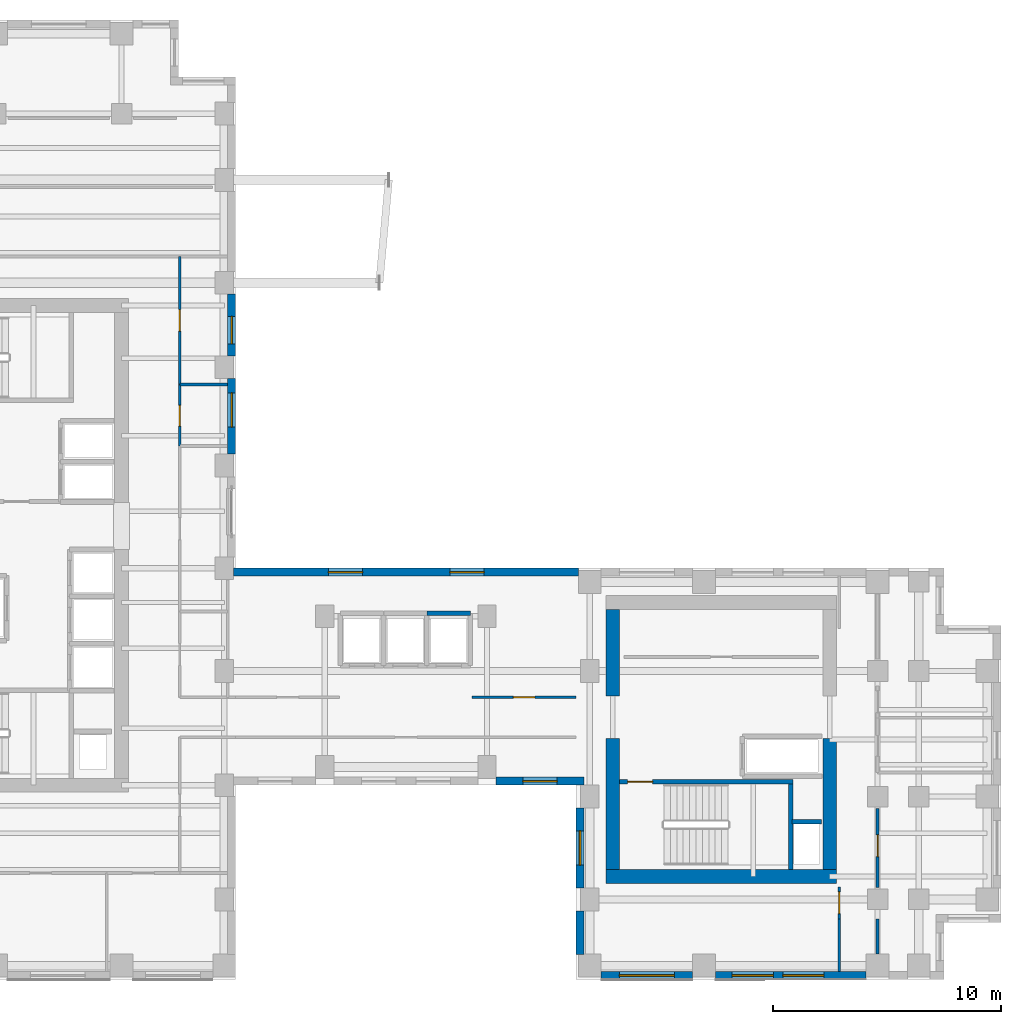
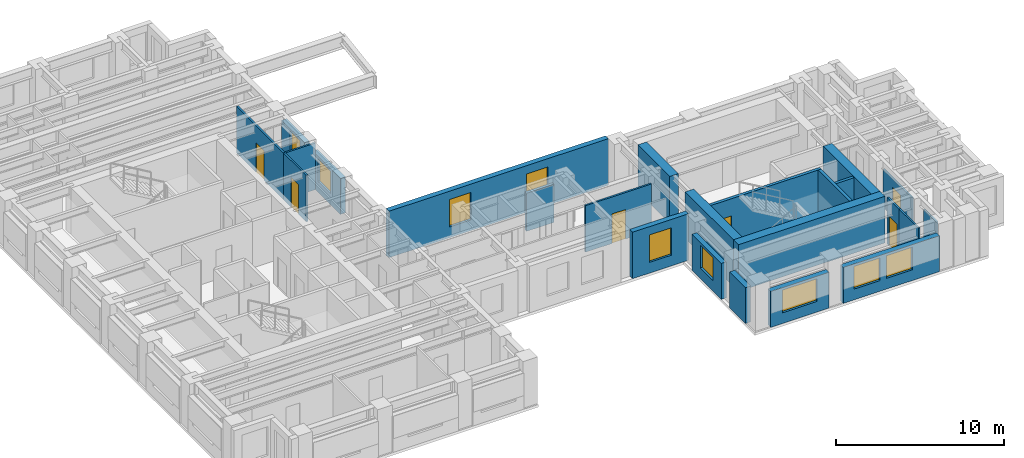
# One storey, part 9 of 14: 24 walls, 9 windows, 6 doors, 15 openings.
"""IFC4 building model written with IfcOpenShell, lengths in metres."""

from ifc_helpers import new_model, si_unit, direction, frame, frame_2d, origin, place, context, subcontext, project, spatial, rectangle, extrude, source, transform, mapped, material, layer, layer_set, type_object, element, fill, save


model = new_model("IFC4")

# Units and contexts
model_context = context("Model", 3, precision=1e-05, world=origin(), true_north=direction((0.0, 1.0)))
body_context = subcontext(model_context, "Body", "Model", "MODEL_VIEW")
ifc_project = project(units=[si_unit("LENGTHUNIT", "METRE"), si_unit("AREAUNIT", "SQUARE_METRE"), si_unit("VOLUMEUNIT", "CUBIC_METRE"), si_unit("PLANEANGLEUNIT", "RADIAN"), si_unit("MASSUNIT", "GRAM", prefix="KILO")], contexts=[model_context])

# Site, building, storey
site_placement = place(None, origin())
site = spatial("IfcSite", under=ifc_project, at=site_placement, CompositionType="ELEMENT")
building_placement = place(site_placement, origin())
building = spatial("IfcBuilding", under=site, at=building_placement, Name="Kharzan Plaza Tower", CompositionType="ELEMENT")
storey_placement = place(building_placement, frame((0.0, 0.0, 168.300048828125)))
storey = spatial("IfcBuildingStorey", under=building, at=storey_placement, Name="L45", CompositionType="ELEMENT", Elevation=168.300048828125)

# Wall, opening, window
ifc_material_1 = material(Name="Concrete C40/50", Category="concrete")
ifc_layer_1 = layer(ifc_material_1, 0.35009765625)
ifc_layer_set_1 = layer_set([ifc_layer_1], Name="Concrete C40/50")
wall_type_1 = type_object("IfcWallType", Name="WL-EXT-MAS-Z3", PredefinedType="SOLIDWALL", material=ifc_layer_set_1)
wall_1_placement = place(storey_placement, frame((30.89794921875, 8.675048828125, 0.0), z_axis=(0.0, 0.0, 1.0), x_axis=(1.0, 0.0, 0.0)))
wall_1 = element("IfcWall", 1, at=wall_1_placement, inside=storey, type_object=wall_type_1, Name="L45 Masonry-Frame Exterior Wall 28", PredefinedType="SOLIDWALL", context=body_context, shape_type="SweptSolid", body=[
    extrude(rectangle(XDim=3.85205078125, YDim=0.35009765625, at=frame_2d((1.926025390625, 0.0))), origin(), (0.0, 0.0, 1.0), 3.385009765625),
])
opening_1_placement = place(wall_1_placement, frame((1.176025390625, 0.0, 0.780029296875)))
opening_1 = element("IfcOpeningElement", 2, at=opening_1_placement, cuts=wall_1, Name="Opening W5", PredefinedType="OPENING", context=body_context, shape_type="SweptSolid", body=[
    extrude(rectangle(XDim=1.5, YDim=2.0, at=frame_2d((0.75, 1.0))), frame((0.0, 0.18505859375, 0.0), z_axis=(0.0, -1.0, 0.0), x_axis=(1.0, 0.0, 0.0)), (0.0, 0.0, 1.0), 0.3701171875),
])
ifc_material_2 = material(Name="Low-E Double Glazing", Category="glass")
window_type_1 = type_object("IfcWindowType", Name="WN-SLT-1500x2000", PartitioningType="SINGLE_PANEL", PredefinedType="WINDOW", material=ifc_material_2)
shared_shape_1 = source(origin(), body_context, "Body", "SweptSolid", [
    extrude(rectangle(XDim=1.5, YDim=2.0, at=frame_2d((0.75, 1.0))), frame((0.0, 0.030029296875, 0.0), z_axis=(0.0, -1.0, 0.0), x_axis=(1.0, 0.0, 0.0)), (0.0, 0.0, 1.0), 0.06005859375),
])
window_1_placement = place(opening_1_placement, origin())
window_1 = element("IfcWindow", 3, at=window_1_placement, inside=storey, type_object=window_type_1, Name="L45 Recessed Solar-Control Window 28-1", OverallHeight=2.0, OverallWidth=1.5, PartitioningType="SINGLE_PANEL", PredefinedType="WINDOW", context=body_context, shape_type="MappedRepresentation", body=[
    mapped(shared_shape_1, transform((0.0, 0.0, 0.0), x_axis=(1.0, 0.0, 0.0), y_axis=(0.0, 1.0, 0.0), z_axis=(0.0, 0.0, 1.0))),
])
fill(opening_1, window_1)

wall_2_placement = place(storey_placement, frame((34.574951171875, 7.501953125, 0.0), z_axis=(0.0, 0.0, 1.0), x_axis=(0.0, -1.0, 0.0)))
wall_2 = element("IfcWall", 4, at=wall_2_placement, inside=storey, type_object=wall_type_1, Name="L45 Masonry-Frame Exterior Wall 29", PredefinedType="SOLIDWALL", context=body_context, shape_type="SweptSolid", body=[
    extrude(rectangle(XDim=3.50390625, YDim=0.35009765625, at=frame_2d((1.751953125, 0.0))), origin(), (0.0, 0.0, 1.0), 2.612060546875),
])
opening_2_placement = place(wall_2_placement, frame((1.001953125, 0.0, 0.780029296875)))
opening_2 = element("IfcOpeningElement", 5, at=opening_2_placement, cuts=wall_2, Name="Opening W5", PredefinedType="OPENING", context=body_context, shape_type="SweptSolid", body=[
    extrude(rectangle(XDim=1.5, YDim=1.652099609375, at=frame_2d((0.75, 0.826171875))), frame((0.0, 0.18505859375, 0.0), z_axis=(0.0, -1.0, 0.0), x_axis=(1.0, 0.0, 0.0)), (0.0, 0.0, 1.0), 0.3701171875),
])
shared_shape_2 = source(origin(), body_context, "Body", "SweptSolid", [
    extrude(rectangle(XDim=1.5, YDim=1.652099609375, at=frame_2d((0.75, 0.826171875))), frame((0.0, 0.030029296875, 0.0), z_axis=(0.0, -1.0, 0.0), x_axis=(1.0, 0.0, 0.0)), (0.0, 0.0, 1.0), 0.06005859375),
])
window_2_placement = place(opening_2_placement, origin())
window_2 = element("IfcWindow", 6, at=window_2_placement, inside=storey, type_object=window_type_1, Name="L45 Recessed Solar-Control Window 29-1", OverallHeight=1.652099609375, OverallWidth=1.5, PartitioningType="SINGLE_PANEL", PredefinedType="WINDOW", context=body_context, shape_type="MappedRepresentation", body=[
    mapped(shared_shape_2, transform((0.0, 0.0, 0.0), x_axis=(1.0, 0.0, 0.0), y_axis=(0.0, 1.0, 0.0), z_axis=(0.0, 0.0, 1.0))),
])
fill(opening_2, window_2)

wall_3_placement = place(storey_placement, frame((35.498046875, 0.175048828125, 0.0), z_axis=(0.0, 0.0, 1.0), x_axis=(1.0, 0.0, 0.0)))
wall_3 = element("IfcWall", 7, at=wall_3_placement, inside=storey, type_object=wall_type_1, Name="L45 Masonry-Frame Exterior Wall 31", PredefinedType="SOLIDWALL", context=body_context, shape_type="SweptSolid", body=[
    extrude(rectangle(XDim=4.00390625, YDim=0.35009765625, at=frame_2d((2.001953125, 0.0))), origin(), (0.0, 0.0, 1.0), 2.612060546875),
])
opening_3_placement = place(wall_3_placement, frame((0.802001953125, 0.0, 0.780029296875)))
opening_3 = element("IfcOpeningElement", 8, at=opening_3_placement, cuts=wall_3, Name="Opening W2", PredefinedType="OPENING", context=body_context, shape_type="SweptSolid", body=[
    extrude(rectangle(XDim=2.39990234375, YDim=1.652099609375, at=frame_2d((1.199951171875, 0.826171875))), frame((0.0, 0.18505859375, 0.0), z_axis=(0.0, -1.0, 0.0), x_axis=(1.0, 0.0, 0.0)), (0.0, 0.0, 1.0), 0.3701171875),
])
window_type_2 = type_object("IfcWindowType", Name="WN-REC-2400x2100", PartitioningType="SINGLE_PANEL", PredefinedType="WINDOW", material=ifc_material_2)
shared_shape_3 = source(origin(), body_context, "Body", "SweptSolid", [
    extrude(rectangle(XDim=2.39990234375, YDim=1.652099609375, at=frame_2d((1.199951171875, 0.826171875))), frame((0.0, 0.030029296875, 0.0), z_axis=(0.0, -1.0, 0.0), x_axis=(1.0, 0.0, 0.0)), (0.0, 0.0, 1.0), 0.06005859375),
])
window_3_placement = place(opening_3_placement, origin())
window_3 = element("IfcWindow", 9, at=window_3_placement, inside=storey, type_object=window_type_2, Name="L45 Wide Recessed Solar-Control Window 31-1", OverallHeight=1.652099609375, OverallWidth=2.39990234375, PartitioningType="SINGLE_PANEL", PredefinedType="WINDOW", context=body_context, shape_type="MappedRepresentation", body=[
    mapped(shared_shape_3, transform((0.0, 0.0, 0.0), x_axis=(1.0, 0.0, 0.0), y_axis=(0.0, 1.0, 0.0), z_axis=(0.0, 0.0, 1.0))),
])
fill(opening_3, window_3)

# Wall, openings, windows
wall_4_placement = place(storey_placement, frame((40.498046875, 0.175048828125, 0.0), z_axis=(0.0, 0.0, 1.0), x_axis=(1.0, 0.0, 0.0)))
wall_4 = element("IfcWall", 10, at=wall_4_placement, inside=storey, type_object=wall_type_1, Name="L45 Masonry-Frame Exterior Wall 32", PredefinedType="SOLIDWALL", context=body_context, shape_type="SweptSolid", body=[
    extrude(rectangle(XDim=6.60400390625, YDim=0.35009765625, at=frame_2d((3.302001953125, 0.0))), origin(), (0.0, 0.0, 1.0), 2.612060546875),
])
opening_4_placement = place(wall_4_placement, frame((0.7373046875, 0.0, 0.780029296875)))
opening_4 = element("IfcOpeningElement", 11, at=opening_4_placement, cuts=wall_4, Name="Opening W1", PredefinedType="OPENING", context=body_context, shape_type="SweptSolid", body=[
    extrude(rectangle(XDim=1.800048828125, YDim=1.652099609375, at=frame_2d((0.89990234375, 0.826171875))), frame((0.0, 0.18505859375, 0.0), z_axis=(0.0, -1.0, 0.0), x_axis=(1.0, 0.0, 0.0)), (0.0, 0.0, 1.0), 0.3701171875),
])
opening_5_placement = place(wall_4_placement, frame((2.95458984375, 0.0, 0.780029296875)))
opening_5 = element("IfcOpeningElement", 12, at=opening_5_placement, cuts=wall_4, Name="Opening W1", PredefinedType="OPENING", context=body_context, shape_type="SweptSolid", body=[
    extrude(rectangle(XDim=1.800048828125, YDim=1.652099609375, at=frame_2d((0.89990234375, 0.826171875))), frame((0.0, 0.18505859375, 0.0), z_axis=(0.0, -1.0, 0.0), x_axis=(1.0, 0.0, 0.0)), (0.0, 0.0, 1.0), 0.3701171875),
])
window_type_3 = type_object("IfcWindowType", Name="WN-REC-1800x2100", PartitioningType="SINGLE_PANEL", PredefinedType="WINDOW", material=ifc_material_2)
shared_shape_4 = source(origin(), body_context, "Body", "SweptSolid", [
    extrude(rectangle(XDim=1.800048828125, YDim=1.652099609375, at=frame_2d((0.89990234375, 0.826171875))), frame((0.0, 0.030029296875, 0.0), z_axis=(0.0, -1.0, 0.0), x_axis=(1.0, 0.0, 0.0)), (0.0, 0.0, 1.0), 0.06005859375),
])
window_4_placement = place(opening_4_placement, origin())
window_4 = element("IfcWindow", 13, at=window_4_placement, inside=storey, type_object=window_type_3, Name="L45 Recessed Solar-Control Window 32-1", OverallHeight=1.652099609375, OverallWidth=1.800048828125, PartitioningType="SINGLE_PANEL", PredefinedType="WINDOW", context=body_context, shape_type="MappedRepresentation", body=[
    mapped(shared_shape_4, transform((0.0, 0.0, 0.0), x_axis=(1.0, 0.0, 0.0), y_axis=(0.0, 1.0, 0.0), z_axis=(0.0, 0.0, 1.0))),
])
fill(opening_4, window_4)
window_5_placement = place(opening_5_placement, origin())
window_5 = element("IfcWindow", 14, at=window_5_placement, inside=storey, type_object=window_type_3, Name="L45 Recessed Solar-Control Window 32-2", OverallHeight=1.652099609375, OverallWidth=1.800048828125, PartitioningType="SINGLE_PANEL", PredefinedType="WINDOW", context=body_context, shape_type="MappedRepresentation", body=[
    mapped(shared_shape_4, transform((0.0, 0.0, 0.0), x_axis=(1.0, 0.0, 0.0), y_axis=(0.0, 1.0, 0.0), z_axis=(0.0, 0.0, 1.0))),
])
fill(opening_5, window_5)

wall_5_placement = place(storey_placement, frame((34.501953125, 17.824951171875, 0.0), z_axis=(0.0, 0.0, 1.0), x_axis=(-1.0, 0.0, 0.0)))
wall_5 = element("IfcWall", 15, at=wall_5_placement, inside=storey, type_object=wall_type_1, Name="L45 Masonry-Frame Exterior Wall 46", PredefinedType="SOLIDWALL", context=body_context, shape_type="SweptSolid", body=[
    extrude(rectangle(XDim=15.10400390625, YDim=0.35009765625, at=frame_2d((7.552001953125, 0.0))), origin(), (0.0, 0.0, 1.0), 3.385009765625),
])
opening_6_placement = place(wall_5_placement, frame((4.131103515625, 0.0, 0.780029296875)))
opening_6 = element("IfcOpeningElement", 16, at=opening_6_placement, cuts=wall_5, Name="Opening W5", PredefinedType="OPENING", context=body_context, shape_type="SweptSolid", body=[
    extrude(rectangle(XDim=1.5, YDim=2.0, at=frame_2d((0.75, 1.0))), frame((0.0, 0.18505859375, 0.0), z_axis=(0.0, -1.0, 0.0), x_axis=(1.0, 0.0, 0.0)), (0.0, 0.0, 1.0), 0.3701171875),
])
opening_7_placement = place(wall_5_placement, frame((9.4423828125, 0.0, 0.780029296875)))
opening_7 = element("IfcOpeningElement", 17, at=opening_7_placement, cuts=wall_5, Name="Opening W5", PredefinedType="OPENING", context=body_context, shape_type="SweptSolid", body=[
    extrude(rectangle(XDim=1.5, YDim=2.0, at=frame_2d((0.75, 1.0))), frame((0.0, 0.18505859375, 0.0), z_axis=(0.0, -1.0, 0.0), x_axis=(1.0, 0.0, 0.0)), (0.0, 0.0, 1.0), 0.3701171875),
])
window_6_placement = place(opening_6_placement, origin())
window_6 = element("IfcWindow", 18, at=window_6_placement, inside=storey, type_object=window_type_1, Name="L45 Recessed Solar-Control Window 46-1", OverallHeight=2.0, OverallWidth=1.5, PartitioningType="SINGLE_PANEL", PredefinedType="WINDOW", context=body_context, shape_type="MappedRepresentation", body=[
    mapped(shared_shape_1, transform((0.0, 0.0, 0.0), x_axis=(1.0, 0.0, 0.0), y_axis=(0.0, 1.0, 0.0), z_axis=(0.0, 0.0, 1.0))),
])
fill(opening_6, window_6)
window_7_placement = place(opening_7_placement, origin())
window_7 = element("IfcWindow", 19, at=window_7_placement, inside=storey, type_object=window_type_1, Name="L45 Recessed Solar-Control Window 46-2", OverallHeight=2.0, OverallWidth=1.5, PartitioningType="SINGLE_PANEL", PredefinedType="WINDOW", context=body_context, shape_type="MappedRepresentation", body=[
    mapped(shared_shape_1, transform((0.0, 0.0, 0.0), x_axis=(1.0, 0.0, 0.0), y_axis=(0.0, 1.0, 0.0), z_axis=(0.0, 0.0, 1.0))),
])
fill(opening_7, window_7)

# Wall, opening, window
wall_6_placement = place(storey_placement, frame((19.324951171875, 22.998046875, 0.0), z_axis=(0.0, 0.0, 1.0), x_axis=(0.0, 1.0, 0.0)))
wall_6 = element("IfcWall", 20, at=wall_6_placement, inside=storey, type_object=wall_type_1, Name="L45 Masonry-Frame Exterior Wall 49", PredefinedType="SOLIDWALL", context=body_context, shape_type="SweptSolid", body=[
    extrude(rectangle(XDim=3.303955078125, YDim=0.35009765625, at=frame_2d((1.65185546875, 0.0))), origin(), (0.0, 0.0, 1.0), 2.612060546875),
])
opening_8_placement = place(wall_6_placement, frame((1.180419921875, 0.0, 0.780029296875)))
opening_8 = element("IfcOpeningElement", 21, at=opening_8_placement, cuts=wall_6, Name="Opening W5", PredefinedType="OPENING", context=body_context, shape_type="SweptSolid", body=[
    extrude(rectangle(XDim=1.5, YDim=1.652099609375, at=frame_2d((0.75, 0.826171875))), frame((0.0, 0.18505859375, 0.0), z_axis=(0.0, -1.0, 0.0), x_axis=(1.0, 0.0, 0.0)), (0.0, 0.0, 1.0), 0.3701171875),
])
window_8_placement = place(opening_8_placement, origin())
window_8 = element("IfcWindow", 22, at=window_8_placement, inside=storey, type_object=window_type_1, Name="L45 Recessed Solar-Control Window 49-1", OverallHeight=1.652099609375, OverallWidth=1.5, PartitioningType="SINGLE_PANEL", PredefinedType="WINDOW", context=body_context, shape_type="MappedRepresentation", body=[
    mapped(shared_shape_2, transform((0.0, 0.0, 0.0), x_axis=(1.0, 0.0, 0.0), y_axis=(0.0, 1.0, 0.0), z_axis=(0.0, 0.0, 1.0))),
])
fill(opening_8, window_8)

wall_7_placement = place(storey_placement, frame((19.324951171875, 27.298095703125, 0.0), z_axis=(0.0, 0.0, 1.0), x_axis=(0.0, 1.0, 0.0)))
wall_7 = element("IfcWall", 23, at=wall_7_placement, inside=storey, type_object=wall_type_1, Name="L45 Masonry-Frame Exterior Wall 50", PredefinedType="SOLIDWALL", context=body_context, shape_type="SweptSolid", body=[
    extrude(rectangle(XDim=2.703857421875, YDim=0.35009765625, at=frame_2d((1.35205078125, 0.0))), origin(), (0.0, 0.0, 1.0), 2.612060546875),
])
opening_9_placement = place(wall_7_placement, frame((0.523681640625, 0.0, 0.780029296875)))
opening_9 = element("IfcOpeningElement", 24, at=opening_9_placement, cuts=wall_7, Name="Opening W3", PredefinedType="OPENING", context=body_context, shape_type="SweptSolid", body=[
    extrude(rectangle(XDim=1.199951171875, YDim=1.652099609375, at=frame_2d((0.60009765625, 0.826171875))), frame((0.0, 0.18505859375, 0.0), z_axis=(0.0, -1.0, 0.0), x_axis=(1.0, 0.0, 0.0)), (0.0, 0.0, 1.0), 0.3701171875),
])
window_type_4 = type_object("IfcWindowType", Name="WN-REC-1200x2100", PartitioningType="SINGLE_PANEL", PredefinedType="WINDOW", material=ifc_material_2)
shared_shape_5 = source(origin(), body_context, "Body", "SweptSolid", [
    extrude(rectangle(XDim=1.199951171875, YDim=1.652099609375, at=frame_2d((0.60009765625, 0.826171875))), frame((0.0, 0.030029296875, 0.0), z_axis=(0.0, -1.0, 0.0), x_axis=(1.0, 0.0, 0.0)), (0.0, 0.0, 1.0), 0.06005859375),
])
window_9_placement = place(opening_9_placement, origin())
window_9 = element("IfcWindow", 25, at=window_9_placement, inside=storey, type_object=window_type_4, Name="L45 Recessed Solar-Control Window 50-1", OverallHeight=1.652099609375, OverallWidth=1.199951171875, PartitioningType="SINGLE_PANEL", PredefinedType="WINDOW", context=body_context, shape_type="MappedRepresentation", body=[
    mapped(shared_shape_5, transform((0.0, 0.0, 0.0), x_axis=(1.0, 0.0, 0.0), y_axis=(0.0, 1.0, 0.0), z_axis=(0.0, 0.0, 1.0))),
])
fill(opening_9, window_9)

# Wall, opening, door
ifc_material_3 = material(Name="Fire-Rated Gypsum Board Partition", Category="gypsum")
ifc_layer_2 = layer(ifc_material_3, 0.125)
ifc_layer_set_2 = layer_set([ifc_layer_2], Name="Fire-Rated Gypsum Board Partition")
wall_type_2 = type_object("IfcWallType", Name="WL-INT-PART-125", PredefinedType="PARTITIONING", material=ifc_layer_set_2)
wall_8_placement = place(storey_placement, frame((17.050048828125, 26.050048828125, 0.0), z_axis=(0.0, 0.0, 1.0), x_axis=(0.0, 1.0, 0.0)))
wall_8 = element("IfcWall", 26, at=wall_8_placement, inside=storey, type_object=wall_type_2, Name="L45 Interior Partition SH-AEWN3", PredefinedType="PARTITIONING", context=body_context, shape_type="SweptSolid", body=[
    extrude(rectangle(XDim=5.599853515625, YDim=0.125, at=frame_2d((2.7998046875, 0.0))), origin(), (0.0, 0.0, 1.0), 3.385009765625),
])
opening_10_placement = place(wall_8_placement, frame((2.324951171875, 0.0, 0.0)))
opening_10 = element("IfcOpeningElement", 27, at=opening_10_placement, cuts=wall_8, Name="Opening OD1", PredefinedType="OPENING", context=body_context, shape_type="SweptSolid", body=[
    extrude(rectangle(XDim=0.949951171875, YDim=2.14990234375, at=frame_2d((0.47509765625, 1.074951171875))), frame((0.0, 0.072509765625, 0.0), z_axis=(0.0, -1.0, 0.0), x_axis=(1.0, 0.0, 0.0)), (0.0, 0.0, 1.0), 0.14501953125),
])
ifc_material_4 = material(Name="Acoustic Solid-Core Stained Oak", Category="timber")
door_type_1 = type_object("IfcDoorType", Name="DR-OFF-SINGLE", OperationType="NOTDEFINED", PredefinedType="DOOR", material=ifc_material_4)
shared_shape_6 = source(origin(), body_context, "Body", "SweptSolid", [
    extrude(rectangle(XDim=0.949951171875, YDim=2.14990234375, at=frame_2d((0.47509765625, 1.074951171875))), frame((0.0, 0.02490234375, 0.0), z_axis=(0.0, -1.0, 0.0), x_axis=(1.0, 0.0, 0.0)), (0.0, 0.0, 1.0), 0.050048828125),
])
door_1_placement = place(opening_10_placement, origin())
door_1 = element("IfcDoor", 28, at=door_1_placement, inside=storey, type_object=door_type_1, Name="L45 Staff Tea Point Door", OperationType="SINGLE_SWING_LEFT", OverallHeight=2.14990234375, OverallWidth=0.949951171875, PredefinedType="DOOR", context=body_context, shape_type="MappedRepresentation", body=[
    mapped(shared_shape_6, transform((0.0, 0.0, 0.0), x_axis=(1.0, 0.0, 0.0), y_axis=(0.0, 1.0, 0.0), z_axis=(0.0, 0.0, 1.0))),
])
fill(opening_10, door_1)

wall_9_placement = place(storey_placement, frame((17.050048828125, 23.35009765625, 0.0), z_axis=(0.0, 0.0, 1.0), x_axis=(0.0, 1.0, 0.0)))
wall_9 = element("IfcWall", 29, at=wall_9_placement, inside=storey, type_object=wall_type_2, Name="L45 Interior Partition SH-AEWW", PredefinedType="PARTITIONING", context=body_context, shape_type="SweptSolid", body=[
    extrude(rectangle(XDim=2.699951171875, YDim=0.125, at=frame_2d((1.35009765625, 0.0))), origin(), (0.0, 0.0, 1.0), 3.385009765625),
])
opening_11_placement = place(wall_9_placement, frame((0.875, 0.0, 0.0)))
opening_11 = element("IfcOpeningElement", 30, at=opening_11_placement, cuts=wall_9, Name="Opening WD1", PredefinedType="OPENING", context=body_context, shape_type="SweptSolid", body=[
    extrude(rectangle(XDim=0.89990234375, YDim=2.14990234375, at=frame_2d((0.449951171875, 1.074951171875))), frame((0.0, 0.072509765625, 0.0), z_axis=(0.0, -1.0, 0.0), x_axis=(1.0, 0.0, 0.0)), (0.0, 0.0, 1.0), 0.14501953125),
])
ifc_material_5 = material(Name="Moisture-Resistant Fire-Rated Laminate", Category="timber")
door_type_2 = type_object("IfcDoorType", Name="DR-WC-900", OperationType="NOTDEFINED", PredefinedType="DOOR", material=ifc_material_5)
shared_shape_7 = source(origin(), body_context, "Body", "SweptSolid", [
    extrude(rectangle(XDim=0.89990234375, YDim=2.14990234375, at=frame_2d((0.449951171875, 1.074951171875))), frame((0.0, 0.02490234375, 0.0), z_axis=(0.0, -1.0, 0.0), x_axis=(1.0, 0.0, 0.0)), (0.0, 0.0, 1.0), 0.050048828125),
])
door_2_placement = place(opening_11_placement, origin())
door_2 = element("IfcDoor", 31, at=door_2_placement, inside=storey, type_object=door_type_2, Name="L45 Wing A Washroom Door", OperationType="SINGLE_SWING_RIGHT", OverallHeight=2.14990234375, OverallWidth=0.89990234375, PredefinedType="DOOR", context=body_context, shape_type="MappedRepresentation", body=[
    mapped(shared_shape_7, transform((0.0, 0.0, 0.0), x_axis=(1.0, 0.0, 0.0), y_axis=(0.0, 1.0, 0.0), z_axis=(0.0, 0.0, 1.0))),
])
fill(opening_11, door_2)

wall_10_placement = place(storey_placement, frame((47.60009765625, 4.02001953125, 0.0), z_axis=(0.0, 0.0, 1.0), x_axis=(0.0, 1.0, 0.0)))
wall_10 = element("IfcWall", 32, at=wall_10_placement, inside=storey, type_object=wall_type_2, Name="L45 Interior Partition SH-B1W0", PredefinedType="PARTITIONING", context=body_context, shape_type="SweptSolid", body=[
    extrude(rectangle(XDim=3.4599609375, YDim=0.125, at=frame_2d((1.72998046875, 0.0))), origin(), (0.0, 0.0, 1.0), 2.77294921875),
])
opening_12_placement = place(wall_10_placement, frame((1.35498046875, 0.0, 0.0)))
opening_12 = element("IfcOpeningElement", 33, at=opening_12_placement, cuts=wall_10, Name="Opening OD1", PredefinedType="OPENING", context=body_context, shape_type="SweptSolid", body=[
    extrude(rectangle(XDim=0.949951171875, YDim=2.14990234375, at=frame_2d((0.47509765625, 1.074951171875))), frame((0.0, 0.072509765625, 0.0), z_axis=(0.0, -1.0, 0.0), x_axis=(1.0, 0.0, 0.0)), (0.0, 0.0, 1.0), 0.14501953125),
])
door_3_placement = place(opening_12_placement, origin())
door_3 = element("IfcDoor", 34, at=door_3_placement, inside=storey, type_object=door_type_1, Name="L45 Wing B South Studio Door", OperationType="SINGLE_SWING_RIGHT", OverallHeight=2.14990234375, OverallWidth=0.949951171875, PredefinedType="DOOR", context=body_context, shape_type="MappedRepresentation", body=[
    mapped(shared_shape_6, transform((0.0, 0.0, 0.0), x_axis=(1.0, 0.0, 0.0), y_axis=(0.0, 1.0, 0.0), z_axis=(0.0, 0.0, 1.0))),
])
fill(opening_12, door_3)

wall_11_placement = place(storey_placement, frame((45.919921875, 2.64990234375, 0.0), z_axis=(0.0, 0.0, 1.0), x_axis=(0.0, 1.0, 0.0)))
wall_11 = element("IfcWall", 35, at=wall_11_placement, inside=storey, type_object=wall_type_2, Name="L45 Interior Partition SH-RBSE", PredefinedType="PARTITIONING", context=body_context, shape_type="SweptSolid", body=[
    extrude(rectangle(XDim=1.400146484375, YDim=0.125, at=frame_2d((0.7001953125, 0.0))), origin(), (0.0, 0.0, 1.0), 3.385009765625),
])
opening_13_placement = place(wall_11_placement, frame((0.22509765625, 0.0, 0.0)))
opening_13 = element("IfcOpeningElement", 36, at=opening_13_placement, cuts=wall_11, Name="Opening OD1", PredefinedType="OPENING", context=body_context, shape_type="SweptSolid", body=[
    extrude(rectangle(XDim=0.949951171875, YDim=2.14990234375, at=frame_2d((0.47509765625, 1.074951171875))), frame((0.0, 0.072509765625, 0.0), z_axis=(0.0, -1.0, 0.0), x_axis=(1.0, 0.0, 0.0)), (0.0, 0.0, 1.0), 0.14501953125),
])
door_4_placement = place(opening_13_placement, origin())
door_4 = element("IfcDoor", 37, at=door_4_placement, inside=storey, type_object=door_type_1, Name="L45 South-East Corner Office Door", OperationType="SINGLE_SWING_LEFT", OverallHeight=2.14990234375, OverallWidth=0.949951171875, PredefinedType="DOOR", context=body_context, shape_type="MappedRepresentation", body=[
    mapped(shared_shape_6, transform((0.0, 0.0, 0.0), x_axis=(1.0, 0.0, 0.0), y_axis=(0.0, 1.0, 0.0), z_axis=(0.0, 0.0, 1.0))),
])
fill(opening_13, door_4)

wall_12_placement = place(storey_placement, frame((29.85009765625, 12.35009765625, 0.0), z_axis=(0.0, 0.0, 1.0), x_axis=(1.0, 0.0, 0.0)))
wall_12 = element("IfcWall", 38, at=wall_12_placement, inside=storey, type_object=wall_type_2, Name="L45 Interior Partition SH-SPNE1", PredefinedType="PARTITIONING", context=body_context, shape_type="SweptSolid", body=[
    extrude(rectangle(XDim=4.5498046875, YDim=0.125, at=frame_2d((2.27490234375, 0.0))), origin(), (0.0, 0.0, 1.0), 3.385009765625),
])
opening_14_placement = place(wall_12_placement, frame((1.800048828125, 0.0, 0.0)))
opening_14 = element("IfcOpeningElement", 39, at=opening_14_placement, cuts=wall_12, Name="Opening OD1", PredefinedType="OPENING", context=body_context, shape_type="SweptSolid", body=[
    extrude(rectangle(XDim=0.949951171875, YDim=2.14990234375, at=frame_2d((0.47509765625, 1.074951171875))), frame((0.0, 0.072509765625, 0.0), z_axis=(0.0, -1.0, 0.0), x_axis=(1.0, 0.0, 0.0)), (0.0, 0.0, 1.0), 0.14501953125),
])
door_5_placement = place(opening_14_placement, origin())
door_5 = element("IfcDoor", 40, at=door_5_placement, inside=storey, type_object=door_type_1, Name="L45 North-East Spine Door", OperationType="SINGLE_SWING_RIGHT", OverallHeight=2.14990234375, OverallWidth=0.949951171875, PredefinedType="DOOR", context=body_context, shape_type="MappedRepresentation", body=[
    mapped(shared_shape_6, transform((0.0, 0.0, 0.0), x_axis=(1.0, 0.0, 0.0), y_axis=(0.0, 1.0, 0.0), z_axis=(0.0, 0.0, 1.0))),
])
fill(opening_14, door_5)

ifc_material_6 = material(Name="Concrete C50/60", Category="concrete")
ifc_layer_3 = layer(ifc_material_6, 0.199951171875)
ifc_layer_set_3 = layer_set([ifc_layer_3], Name="Concrete C50/60")
wall_type_3 = type_object("IfcWallType", Name="WL-SHAFT-RC200", PredefinedType="SHEAR", material=ifc_layer_set_3)
wall_13_placement = place(storey_placement, frame((36.302001953125, 8.655029296875, 0.0), z_axis=(0.0, 0.0, 1.0), x_axis=(1.0, 0.0, 0.0)))
wall_13 = element("IfcWall", 41, at=wall_13_placement, inside=storey, type_object=wall_type_3, Name="L45 Stair ST-3 North RC Shaft Wall", PredefinedType="SHEAR", context=body_context, shape_type="SweptSolid", body=[
    extrude(rectangle(XDim=7.60302734375, YDim=0.199951171875, at=frame_2d((3.801513671875, 0.0))), origin(), (0.0, 0.0, 1.0), 3.39990234375),
])
opening_15_placement = place(wall_13_placement, frame((0.35009765625, 0.0, 0.0)))
opening_15 = element("IfcOpeningElement", 42, at=opening_15_placement, cuts=wall_13, Name="Opening SD1", PredefinedType="OPENING", context=body_context, shape_type="SweptSolid", body=[
    extrude(rectangle(XDim=1.10009765625, YDim=2.14990234375, at=frame_2d((0.550048828125, 1.074951171875))), frame((0.0, 0.10986328125, 0.0), z_axis=(0.0, -1.0, 0.0), x_axis=(1.0, 0.0, 0.0)), (0.0, 0.0, 1.0), 0.219970703125),
])
ifc_material_7 = material(Name="Fire-Rated Hollow Galvanized Steel", Category="steel")
door_type_3 = type_object("IfcDoorType", Name="DR-STAIR-FD120", OperationType="NOTDEFINED", PredefinedType="DOOR", material=ifc_material_7)
shared_shape_8 = source(origin(), body_context, "Body", "SweptSolid", [
    extrude(rectangle(XDim=1.10009765625, YDim=2.14990234375, at=frame_2d((0.550048828125, 1.074951171875))), frame((0.0, 0.02490234375, 0.0), z_axis=(0.0, -1.0, 0.0), x_axis=(1.0, 0.0, 0.0)), (0.0, 0.0, 1.0), 0.050048828125),
])
door_6_placement = place(opening_15_placement, origin())
door_6 = element("IfcDoor", 43, at=door_6_placement, inside=storey, type_object=door_type_3, Name="L45 Stair ST-3 Fire Exit Door", OperationType="SINGLE_SWING_LEFT", OverallHeight=2.14990234375, OverallWidth=1.10009765625, PredefinedType="DOOR", context=body_context, shape_type="MappedRepresentation", body=[
    mapped(shared_shape_8, transform((0.0, 0.0, 0.0), x_axis=(1.0, 0.0, 0.0), y_axis=(0.0, 1.0, 0.0), z_axis=(0.0, 0.0, 1.0))),
])
fill(opening_15, door_6)

# Walls
ifc_layer_4 = layer(ifc_material_6, 0.60009765625)
ifc_layer_set_4 = layer_set([ifc_layer_4], Name="Concrete C50/60")
wall_type_4 = type_object("IfcWallType", Name="WL-CORE-600", PredefinedType="SHEAR", material=ifc_layer_set_4)
shared_shape_9 = source(origin(), body_context, "Body", "SweptSolid", [
    extrude(rectangle(XDim=5.75, YDim=0.60009765625, at=frame_2d((2.875, 0.0))), origin(), (0.0, 0.0, 1.0), 3.39990234375),
])
for number, where, z_axis, x_axis, name in (
    (44, (45.5, 4.800048828125, 0.0), (0.0, 0.0, 1.0), (0.0, 1.0, 0.0), "L45 CORE-B east shear pier 1"),
    (45, (36.0, 4.800048828125, 0.0), (0.0, 0.0, 1.0), (0.0, 1.0, 0.0), "L45 CORE-B west shear pier 1"),
):
    element("IfcWall", number, at=place(storey_placement, frame(where, z_axis=z_axis, x_axis=x_axis)), inside=storey, type_object=wall_type_4, Name=name, PredefinedType="SHEAR", context=body_context, shape_type="MappedRepresentation", body=[
        mapped(shared_shape_9, transform((0.0, 0.0, 0.0), x_axis=(1.0, 0.0, 0.0), y_axis=(0.0, 1.0, 0.0), z_axis=(0.0, 0.0, 1.0))),
    ])
shared_shape_10 = source(origin(), body_context, "Body", "SweptSolid", [
    extrude(rectangle(XDim=3.800048828125, YDim=0.60009765625, at=frame_2d((1.89990234375, 0.0))), origin(), (0.0, 0.0, 1.0), 3.39990234375),
])
wall_14_placement = place(storey_placement, frame((36.0, 12.39990234375, 0.0), z_axis=(0.0, 0.0, 1.0), x_axis=(0.0, 1.0, 0.0)))
element("IfcWall", 46, at=wall_14_placement, inside=storey, type_object=wall_type_4, Name="L45 CORE-B west shear pier 2", PredefinedType="SHEAR", context=body_context, shape_type="MappedRepresentation", body=[
    mapped(shared_shape_10, transform((0.0, 0.0, 0.0), x_axis=(1.0, 0.0, 0.0), y_axis=(0.0, 1.0, 0.0), z_axis=(0.0, 0.0, 1.0))),
])
shared_shape_11 = source(origin(), body_context, "Body", "SweptSolid", [
    extrude(rectangle(XDim=10.10009765625, YDim=0.60009765625, at=frame_2d((5.050048828125, 0.0))), origin(), (0.0, 0.0, 1.0), 3.39990234375),
])
wall_15_placement = place(storey_placement, frame((35.699951171875, 4.5, 0.0), z_axis=(0.0, 0.0, 1.0), x_axis=(1.0, 0.0, 0.0)))
element("IfcWall", 47, at=wall_15_placement, inside=storey, type_object=wall_type_4, Name="L45 CORE-B south RC shear wall", PredefinedType="SHEAR", context=body_context, shape_type="MappedRepresentation", body=[
    mapped(shared_shape_11, transform((0.0, 0.0, 0.0), x_axis=(1.0, 0.0, 0.0), y_axis=(0.0, 1.0, 0.0), z_axis=(0.0, 0.0, 1.0))),
])
shared_shape_12 = source(origin(), body_context, "Body", "SweptSolid", [
    extrude(rectangle(XDim=2.097900390625, YDim=0.125, at=frame_2d((1.048828125, 0.0))), origin(), (0.0, 0.0, 1.0), 3.385009765625),
])
wall_16_placement = place(storey_placement, frame((17.050048828125, 26.050048828125, 0.0), z_axis=(0.0, 0.0, 1.0), x_axis=(1.0, 0.0, 0.0)))
element("IfcWall", 48, at=wall_16_placement, inside=storey, type_object=wall_type_2, Name="L45 Interior Partition SH-AEH-260", PredefinedType="PARTITIONING", context=body_context, shape_type="MappedRepresentation", body=[
    mapped(shared_shape_12, transform((0.0, 0.0, 0.0), x_axis=(1.0, 0.0, 0.0), y_axis=(0.0, 1.0, 0.0), z_axis=(0.0, 0.0, 1.0))),
])
shared_shape_13 = source(origin(), body_context, "Body", "SweptSolid", [
    extrude(rectangle(XDim=1.52978515625, YDim=0.125, at=frame_2d((0.764892578125, 0.0))), origin(), (0.0, 0.0, 1.0), 2.77294921875),
])
wall_17_placement = place(storey_placement, frame((47.60009765625, 1.1201171875, 0.0), z_axis=(0.0, 0.0, 1.0), x_axis=(0.0, 1.0, 0.0)))
element("IfcWall", 49, at=wall_17_placement, inside=storey, type_object=wall_type_2, Name="L45 Interior Partition SH-B1W0S", PredefinedType="PARTITIONING", context=body_context, shape_type="MappedRepresentation", body=[
    mapped(shared_shape_13, transform((0.0, 0.0, 0.0), x_axis=(1.0, 0.0, 0.0), y_axis=(0.0, 1.0, 0.0), z_axis=(0.0, 0.0, 1.0))),
])
shared_shape_14 = source(origin(), body_context, "Body", "SweptSolid", [
    extrude(rectangle(XDim=2.2978515625, YDim=0.125, at=frame_2d((1.14892578125, 0.0))), origin(), (0.0, 0.0, 1.0), 3.385009765625),
])
wall_18_placement = place(storey_placement, frame((45.919921875, 0.35205078125, 0.0), z_axis=(0.0, 0.0, 1.0), x_axis=(0.0, 1.0, 0.0)))
element("IfcWall", 50, at=wall_18_placement, inside=storey, type_object=wall_type_2, Name="L45 Interior Partition SH-RBSE0", PredefinedType="PARTITIONING", context=body_context, shape_type="MappedRepresentation", body=[
    mapped(shared_shape_14, transform((0.0, 0.0, 0.0), x_axis=(1.0, 0.0, 0.0), y_axis=(0.0, 1.0, 0.0), z_axis=(0.0, 0.0, 1.0))),
])
ifc_layer_5 = layer(ifc_material_1, 0.199951171875)
ifc_layer_set_5 = layer_set([ifc_layer_5], Name="Concrete C40/50")
wall_type_5 = type_object("IfcWallType", Name="WL-INT-SHAFT-200", PredefinedType="PARTITIONING", material=ifc_layer_set_5)
shared_shape_15 = source(origin(), body_context, "Body", "SweptSolid", [
    extrude(rectangle(XDim=1.2998046875, YDim=0.199951171875, at=frame_2d((0.64990234375, 0.0))), origin(), (0.0, 0.0, 1.0), 3.385009765625),
])
wall_19_placement = place(storey_placement, frame((43.85009765625, 6.89990234375, 0.0), z_axis=(0.0, 0.0, 1.0), x_axis=(1.0, 0.0, 0.0)))
element("IfcWall", 51, at=wall_19_placement, inside=storey, type_object=wall_type_5, Name="L45 Interior Partition CB-RSRB-N", PredefinedType="PARTITIONING", context=body_context, shape_type="MappedRepresentation", body=[
    mapped(shared_shape_15, transform((0.0, 0.0, 0.0), x_axis=(1.0, 0.0, 0.0), y_axis=(0.0, 1.0, 0.0), z_axis=(0.0, 0.0, 1.0))),
])
shared_shape_16 = source(origin(), body_context, "Body", "SweptSolid", [
    extrude(rectangle(XDim=1.89013671875, YDim=0.199951171875, at=frame_2d((0.945068359375, 0.0))), origin(), (0.0, 0.0, 1.0), 2.77294921875),
])
wall_20_placement = place(storey_placement, frame((27.8798828125, 16.02001953125, 0.0), z_axis=(0.0, 0.0, 1.0), x_axis=(1.0, 0.0, 0.0)))
element("IfcWall", 52, at=wall_20_placement, inside=storey, type_object=wall_type_5, Name="L45 Interior Partition SHF-PL-M3-N", PredefinedType="PARTITIONING", context=body_context, shape_type="MappedRepresentation", body=[
    mapped(shared_shape_16, transform((0.0, 0.0, 0.0), x_axis=(1.0, 0.0, 0.0), y_axis=(0.0, 1.0, 0.0), z_axis=(0.0, 0.0, 1.0))),
])
shared_shape_17 = source(origin(), body_context, "Body", "SweptSolid", [
    extrude(rectangle(XDim=3.7529296875, YDim=0.199951171875, at=frame_2d((1.87646484375, 0.0))), origin(), (0.0, 0.0, 1.0), 3.39990234375),
])
wall_21_placement = place(storey_placement, frame((43.804931640625, 4.802001953125, 0.0), z_axis=(0.0, 0.0, 1.0), x_axis=(0.0, 1.0, 0.0)))
element("IfcWall", 53, at=wall_21_placement, inside=storey, type_object=wall_type_3, Name="L45 Stair ST-3 East RC Shaft Wall", PredefinedType="SHEAR", context=body_context, shape_type="MappedRepresentation", body=[
    mapped(shared_shape_17, transform((0.0, 0.0, 0.0), x_axis=(1.0, 0.0, 0.0), y_axis=(0.0, 1.0, 0.0), z_axis=(0.0, 0.0, 1.0))),
])
shared_shape_18 = source(origin(), body_context, "Body", "SweptSolid", [
    extrude(rectangle(XDim=1.904052734375, YDim=0.35009765625, at=frame_2d((0.9521484375, 0.0))), origin(), (0.0, 0.0, 1.0), 2.612060546875),
])
wall_22_placement = place(storey_placement, frame((34.574951171875, 3.001953125, 0.0), z_axis=(0.0, 0.0, 1.0), x_axis=(0.0, -1.0, 0.0)))
element("IfcWall", 54, at=wall_22_placement, inside=storey, type_object=wall_type_1, Name="L45 Masonry-Frame Exterior Wall 30", PredefinedType="SOLIDWALL", context=body_context, shape_type="MappedRepresentation", body=[
    mapped(shared_shape_18, transform((0.0, 0.0, 0.0), x_axis=(1.0, 0.0, 0.0), y_axis=(0.0, 1.0, 0.0), z_axis=(0.0, 0.0, 1.0))),
])

save(model, "model.ifc")
